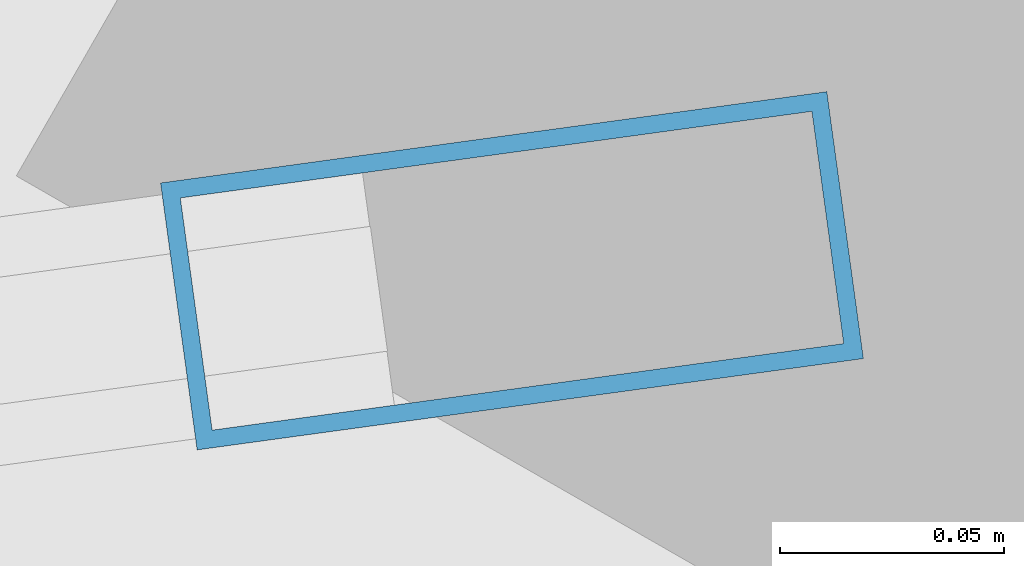
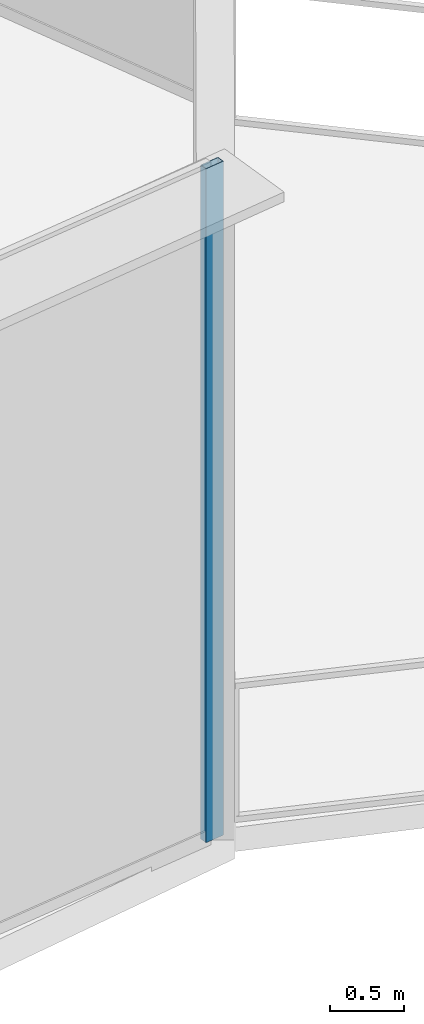
# One storey, part 24 of 40: 1 member, 1 element without a shape of its own.
"""IFC4 building model written with IfcOpenShell, lengths in metres."""

from ifc_helpers import new_model, si_unit, direction, frame, origin, origin_2d, place, context, subcontext, project, spatial, hollow_rectangle, extrude, source, transform, mapped, material, layer, layer_set, material_profile, profile_set, type_object, element, aggregate, save


model = new_model("IFC4")

# Units and contexts
model_context = context("Model", 3, precision=1e-05, world=origin(), true_north=direction((0.0, 1.0)))
body_context = subcontext(model_context, "Body", "Model", "MODEL_VIEW")
ifc_project = project(units=[si_unit("LENGTHUNIT", "METRE"), si_unit("AREAUNIT", "SQUARE_METRE"), si_unit("VOLUMEUNIT", "CUBIC_METRE"), si_unit("PLANEANGLEUNIT", "RADIAN"), si_unit("MASSUNIT", "GRAM", prefix="KILO"), si_unit("THERMODYNAMICTEMPERATUREUNIT", "KELVIN"), si_unit("POWERUNIT", "WATT")], contexts=[model_context])

# Site, building, storey
site_placement = place(None, origin())
site = spatial("IfcSite", under=ifc_project, at=site_placement, CompositionType="ELEMENT")
building_placement = place(site_placement, origin())
building = spatial("IfcBuilding", under=site, at=building_placement, Name="Yunzhuo Pagoda Commons", CompositionType="ELEMENT")
storey_placement = place(building_placement, frame((0.0, 0.0, 170.31005859375)))
storey = spatial("IfcBuildingStorey", under=building, at=storey_placement, Name="L43", CompositionType="ELEMENT", Elevation=170.31005859375)

# Curtain wall, member
ifc_material = material(Name="Anodized aluminium 6063-T6", Category="aluminium")
ifc_layer = layer(ifc_material, 0.14990234375)
ifc_layer_set = layer_set([ifc_layer], Name="Anodized aluminium 6063-T6")
curtain_wall_type = type_object("IfcCurtainWallType", Name="CW-MID Mid-Zone Ribbon Curtain Wall", PredefinedType="NOTDEFINED", material=ifc_layer_set)
curtain_wall_placement = place(storey_placement, origin())
curtain_wall = element("IfcCurtainWall", 1, at=curtain_wall_placement, inside=storey, type_object=curtain_wall_type, Name="L43 curtain wall CW-L43-F1B5", PredefinedType="NOTDEFINED")
ifc_material_profile = material_profile(ifc_material, hollow_rectangle(XDim=0.06005859375, YDim=0.14990234375, WallThickness=0.00390625, at=origin_2d()), Name="Anodized aluminium 6063-T6")
ifc_profile_set = profile_set([ifc_material_profile], Name="Anodized aluminium 6063-T6")
member_type = type_object("IfcMemberType", Name="CW-MID-M Mullion RHS 150x60x4", PredefinedType="MULLION", material=ifc_profile_set)
shared_shape = source(origin(), body_context, "Body", "SweptSolid", [
    extrude(hollow_rectangle(XDim=0.06005859375, YDim=0.14990234375, WallThickness=0.00390625, at=origin_2d()), origin(), (0.0, 0.0, 1.0), 5.56982421875),
])
member_placement = place(storey_placement, frame((82.8115234375, 16.8642578125, 0.0), z_axis=(0.0, 0.0, 1.0), x_axis=(-0.135767265879, 0.990740757976, 0.0)))
member = element("IfcMember", 2, at=member_placement, type_object=member_type, Name="CW mullion 2", PredefinedType="MULLION", context=body_context, shape_type="MappedRepresentation", body=[
    mapped(shared_shape, transform((0.0, 0.0, 0.0), scale=1.0)),
])
aggregate(curtain_wall, [member])

save(model, "model.ifc")
